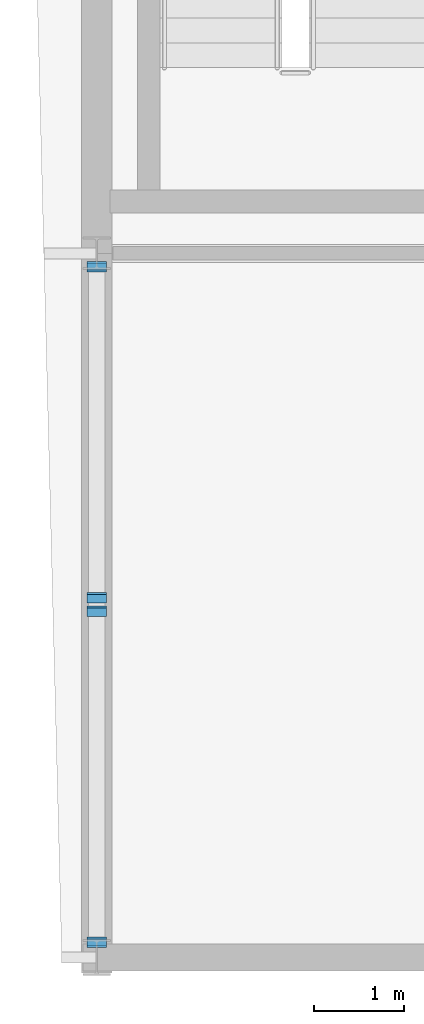
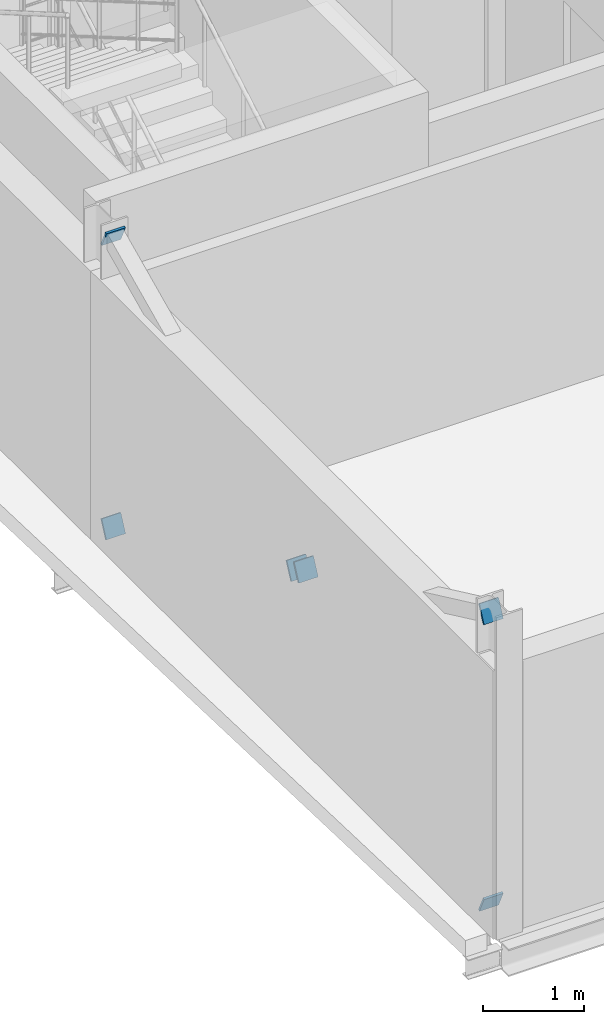
# One storey, part 16 of 30: 6 plates.
"""IFC4 building model written with IfcOpenShell, lengths in metres."""

from ifc_helpers import new_model, si_unit, direction, frame, origin, origin_2d, place, context, subcontext, project, spatial, rectangle, extrude, material, material_profile, profile_set, type_object, element, save


model = new_model("IFC4")

# Units and contexts
model_context = context("Model", 3, precision=1e-05, world=origin(), true_north=direction((0.0, 1.0)))
body_context = subcontext(model_context, "Body", "Model", "MODEL_VIEW")
ifc_project = project(units=[si_unit("LENGTHUNIT", "METRE"), si_unit("AREAUNIT", "SQUARE_METRE"), si_unit("VOLUMEUNIT", "CUBIC_METRE"), si_unit("PLANEANGLEUNIT", "RADIAN"), si_unit("MASSUNIT", "GRAM", prefix="KILO")], contexts=[model_context])

# Site, building, storey
site_placement = place(None, origin())
site = spatial("IfcSite", under=ifc_project, at=site_placement, CompositionType="ELEMENT")
building_placement = place(site_placement, origin())
building = spatial("IfcBuilding", under=site, at=building_placement, Name="Vinh Khe Railworks Police Headquarters", CompositionType="ELEMENT")
storey_placement = place(building_placement, frame((0.0, 0.0, 21.0)))
storey = spatial("IfcBuildingStorey", under=building, at=storey_placement, Name="L05", CompositionType="ELEMENT", Elevation=21.0)

# Plates
ifc_material = material(Name="Steel S355JR", Category="steel")
ifc_material_profile = material_profile(ifc_material, rectangle(XDim=0.219970703125, YDim=0.219970703125, at=origin_2d()), Name="PL 220x220")
ifc_profile_set = profile_set([ifc_material_profile], Name="Steel S355JR")
plate_type = type_object("IfcPlateType", Name="Steel End-Cap Plate 220x220x24", PredefinedType="SHEET", material=ifc_profile_set)
for number, where, z_axis, x_axis, name in (
    (1, (0.60009765625, 17.580078125, 0.199951171875), (0.0, -0.904357603074, -0.42677549808), (1.0, 0.0, 0.0), "End-Cap Gusset Plate PLT-EP-0007"),
    (2, (0.60009765625, 17.580078125, 3.699951171875), (0.0, -0.904357603074, 0.42677549808), (1.0, 0.0, 0.0), "End-Cap Gusset Plate PLT-EP-0008"),
    (3, (0.60009765625, 21.225341796875, 1.98974609375), (0.0, 0.904357603074, -0.42677549808), (-1.0, 0.0, 0.0), "End-Cap Gusset Plate PLT-EP-0023"),
    (4, (0.60009765625, 21.394775390625, 1.91015625), (0.0, -0.904357603074, 0.42677549808), (1.0, 0.0, 0.0), "End-Cap Gusset Plate PLT-EP-0031"),
    (5, (0.60009765625, 25.0400390625, 0.199951171875), (0.0, 0.904357603074, -0.42677549808), (-1.0, 0.0, 0.0), "End-Cap Gusset Plate PLT-EP-0047"),
    (6, (0.60009765625, 25.0400390625, 3.699951171875), (0.0, 0.904357603074, 0.42677549808), (-1.0, 0.0, 0.0), "End-Cap Gusset Plate PLT-EP-0048"),
):
    element("IfcPlate", number, at=place(storey_placement, frame(where, z_axis=z_axis, x_axis=x_axis)), inside=storey, type_object=plate_type, Name=name, PredefinedType="SHEET", context=body_context, shape_type="SweptSolid", body=[
        extrude(rectangle(XDim=0.219970703125, YDim=0.219970703125, at=origin_2d()), origin(), (0.0, 0.0, 1.0), 0.02392578125),
    ])

save(model, "model.ifc")
